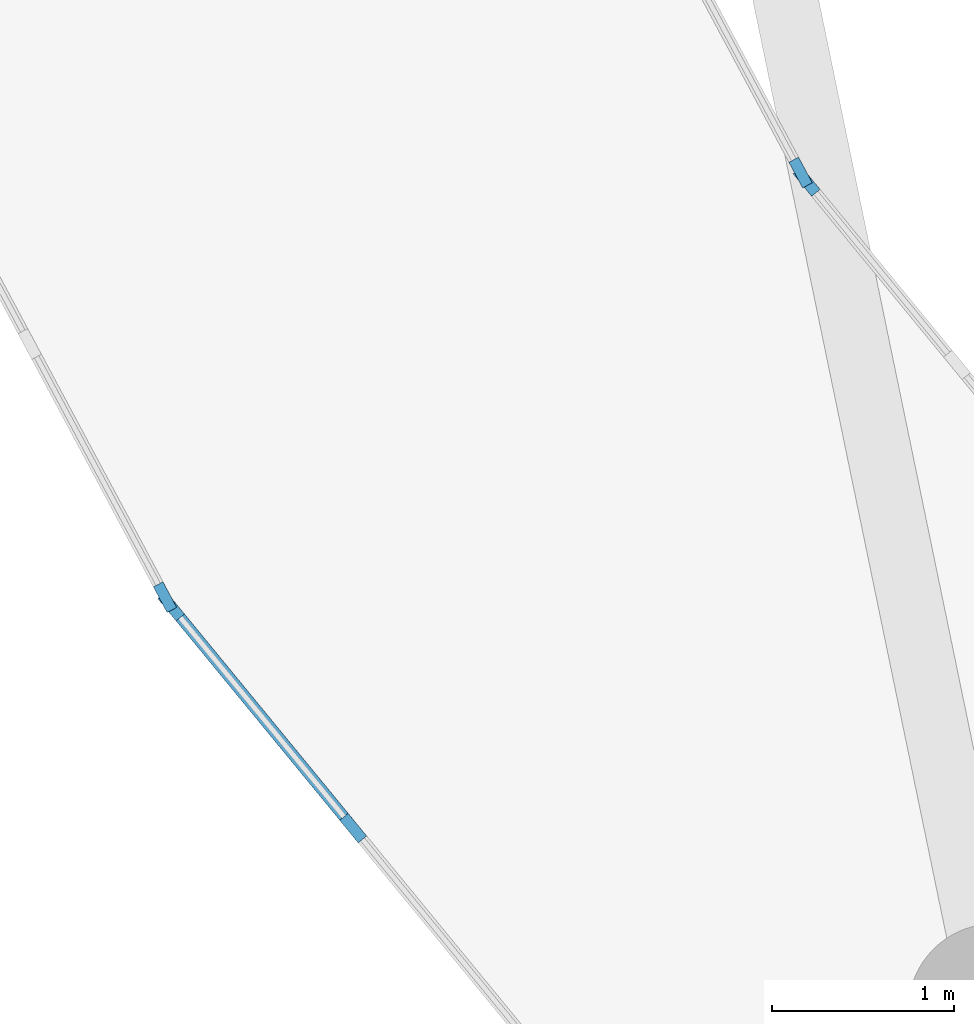
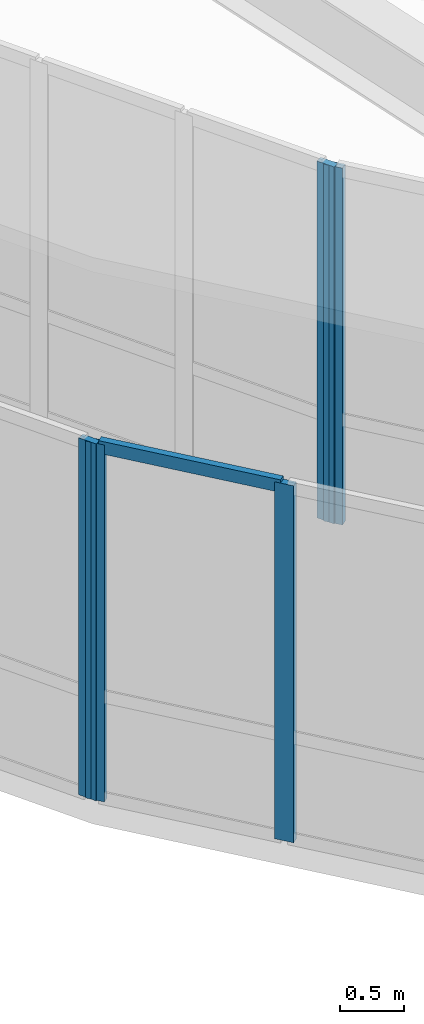
# One storey, part 20 of 68: 6 members, 4 elements without a shape of their own.
"""IFC4 building model written with IfcOpenShell, lengths in metres."""

from ifc_helpers import new_model, si_unit, direction, frame, origin, origin_2d, place, context, subcontext, project, spatial, rectangle, extrude, material, material_profile, profile_set, type_object, element, aggregate, save


model = new_model("IFC4")

# Units and contexts
model_context = context("Model", 3, precision=1e-05, world=origin(), true_north=direction((0.0, 1.0)))
body_context = subcontext(model_context, "Body", "Model", "MODEL_VIEW")
ifc_project = project(units=[si_unit("LENGTHUNIT", "METRE"), si_unit("AREAUNIT", "SQUARE_METRE"), si_unit("VOLUMEUNIT", "CUBIC_METRE"), si_unit("PLANEANGLEUNIT", "RADIAN"), si_unit("MASSUNIT", "GRAM", prefix="KILO")], contexts=[model_context])

# Site, building, storey
site_placement = place(None, origin())
site = spatial("IfcSite", under=ifc_project, at=site_placement, CompositionType="ELEMENT")
building_placement = place(site_placement, origin())
building = spatial("IfcBuilding", under=site, at=building_placement, Name="Veldera Park Congress Hotel", CompositionType="ELEMENT")
storey_placement = place(building_placement, frame((0.0, 0.0, 10.800048828125)))
storey = spatial("IfcBuildingStorey", under=building, at=storey_placement, Name="L02", CompositionType="ELEMENT", Elevation=10.800048828125)

# Curtain wall, member
ifc_material_1 = material(Name="Low-E Triple Insulating Glass Unit (SHGC 0.22)", Category="glass")
curtain_wall_type = type_object("IfcCurtainWallType", Name="CW-BRG", PredefinedType="NOTDEFINED", material=ifc_material_1)
curtain_wall_1_placement = place(storey_placement, origin())
curtain_wall_1 = element("IfcCurtainWall", 1, at=curtain_wall_1_placement, inside=storey, type_object=curtain_wall_type, Name="L02 Curtain Wall CW3-BRGE-L02-A02", PredefinedType="NOTDEFINED")
ifc_material_2 = material(Name="Anodised Aluminium Alloy 6063-T6", Category="aluminium")
ifc_material_profile_1 = material_profile(ifc_material_2, rectangle(XDim=0.06005859375, YDim=0.159912109375, at=origin_2d()), Name="ALU 60x160")
ifc_profile_set_1 = profile_set([ifc_material_profile_1], Name="Anodised Aluminium Alloy 6063-T6")
member_type_1 = type_object("IfcMemberType", Name="CWM-160", PredefinedType="MULLION", material=ifc_profile_set_1)
member_1_placement = place(storey_placement, frame((40.33154296875, 3.759521484375, 0.0), z_axis=(0.0, 0.0, 1.0), x_axis=(0.881927804203, 0.471384501415, 0.0)))
member_1 = element("IfcMember", 2, at=member_1_placement, type_object=member_type_1, Name="CW-BRG mullion 4", PredefinedType="MULLION", context=body_context, shape_type="SweptSolid", body=[
    extrude(rectangle(XDim=0.06005859375, YDim=0.159912109375, at=origin_2d()), origin(), (0.0, 0.0, 1.0), 3.39990234375),
])
aggregate(curtain_wall_1, [member_1])

# Curtain wall, members
curtain_wall_2_placement = place(storey_placement, origin())
curtain_wall_2 = element("IfcCurtainWall", 3, at=curtain_wall_2_placement, inside=storey, type_object=curtain_wall_type, Name="L02 Curtain Wall CW3-BRGE-L02-A03", PredefinedType="NOTDEFINED")
member_2_placement = place(storey_placement, frame((40.36474609375, 3.709716796875, 0.0), z_axis=(0.0, 0.0, 1.0), x_axis=(0.773002968666, 0.634402404183, 0.0)))
member_2 = element("IfcMember", 4, at=member_2_placement, type_object=member_type_1, Name="CW-BRG mullion 1", PredefinedType="MULLION", context=body_context, shape_type="SweptSolid", body=[
    extrude(rectangle(XDim=0.06005859375, YDim=0.159912109375, at=origin_2d()), origin(), (0.0, 0.0, 1.0), 3.39990234375),
])
member_3_placement = place(storey_placement, frame((41.365478515625, 2.490478515625, 0.0), z_axis=(0.0, 0.0, 1.0), x_axis=(0.773002968666, 0.634402404183, 0.0)))
member_3 = element("IfcMember", 5, at=member_3_placement, type_object=member_type_1, Name="CW-BRG mullion 2", PredefinedType="MULLION", context=body_context, shape_type="SweptSolid", body=[
    extrude(rectangle(XDim=0.06005859375, YDim=0.159912109375, at=origin_2d()), origin(), (0.0, 0.0, 1.0), 3.39990234375),
])

# Curtain wall, member
curtain_wall_3_placement = place(storey_placement, origin())
curtain_wall_3 = element("IfcCurtainWall", 6, at=curtain_wall_3_placement, inside=storey, type_object=curtain_wall_type, Name="L02 Curtain Wall CW3-BRGE-L02-B13", PredefinedType="NOTDEFINED")
member_4_placement = place(storey_placement, frame((43.85693359375, 6.043212890625, 0.0), z_axis=(0.0, 0.0, 1.0), x_axis=(-0.773016144823, -0.634386349036, 0.0)))
member_4 = element("IfcMember", 7, at=member_4_placement, type_object=member_type_1, Name="CW-BRG mullion 4", PredefinedType="MULLION", context=body_context, shape_type="SweptSolid", body=[
    extrude(rectangle(XDim=0.06005859375, YDim=0.159912109375, at=origin_2d()), origin(), (0.0, 0.0, 1.0), 3.39990234375),
])
aggregate(curtain_wall_3, [member_4])

curtain_wall_4_placement = place(storey_placement, origin())
curtain_wall_4 = element("IfcCurtainWall", 8, at=curtain_wall_4_placement, inside=storey, type_object=curtain_wall_type, Name="L02 Curtain Wall CW3-BRGE-L02-B14", PredefinedType="NOTDEFINED")
member_5_placement = place(storey_placement, frame((43.823974609375, 6.0927734375, 0.0), z_axis=(0.0, 0.0, 1.0), x_axis=(-0.881928263239, -0.471383642588, 0.0)))
member_5 = element("IfcMember", 9, at=member_5_placement, type_object=member_type_1, Name="CW-BRG mullion 1", PredefinedType="MULLION", context=body_context, shape_type="SweptSolid", body=[
    extrude(rectangle(XDim=0.06005859375, YDim=0.159912109375, at=origin_2d()), origin(), (0.0, 0.0, 1.0), 3.39990234375),
])
aggregate(curtain_wall_4, [member_5])

# Member
ifc_material_profile_2 = material_profile(ifc_material_2, rectangle(XDim=0.06005859375, YDim=0.1201171875, at=origin_2d()), Name="ALU 60x120")
ifc_profile_set_2 = profile_set([ifc_material_profile_2], Name="Anodised Aluminium Alloy 6063-T6")
member_type_2 = type_object("IfcMemberType", Name="CWT-120", PredefinedType="USERDEFINED", material=ifc_profile_set_2)
member_6_placement = place(storey_placement, frame((40.3837890625, 3.6865234375, 3.369873046875), z_axis=(0.63453354545, -0.772895322601, 0.0), x_axis=(0.772895322601, 0.63453354545, 0.0)))
member_6 = element("IfcMember", 10, at=member_6_placement, type_object=member_type_2, Name="CW-BRG transom 1.3", ObjectType="TRANSOM", PredefinedType="USERDEFINED", context=body_context, shape_type="SweptSolid", body=[
    extrude(rectangle(XDim=0.06005859375, YDim=0.1201171875, at=origin_2d()), origin(), (0.0, 0.0, 1.0), 1.517578125),
])

aggregate(curtain_wall_2, [member_2, member_3, member_6])

save(model, "model.ifc")
